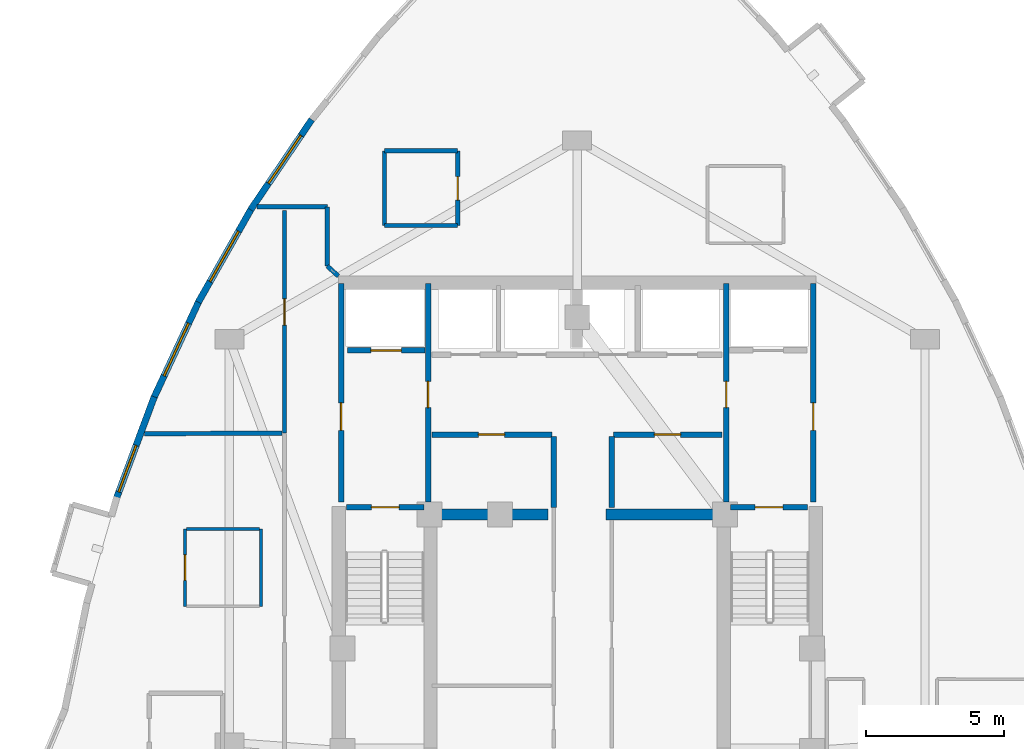
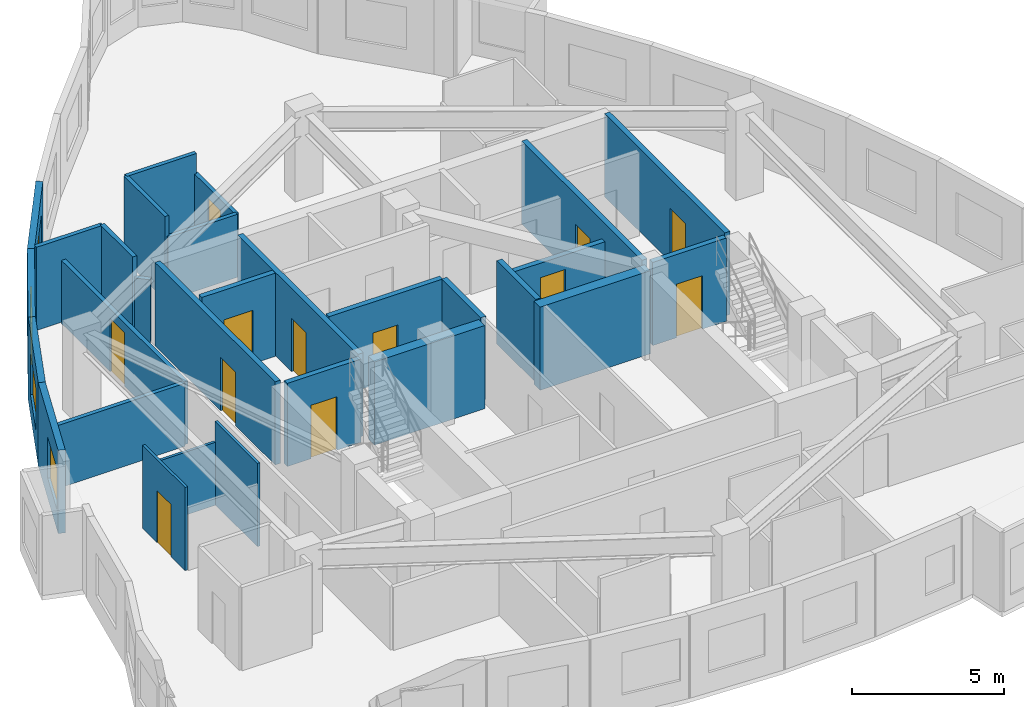
# One storey, part 5 of 8: 29 walls, 12 doors, 4 windows, 16 openings.
"""IFC4 building model written with IfcOpenShell, lengths in metres."""

from ifc_helpers import new_model, si_unit, direction, frame, frame_2d, origin, place, context, subcontext, project, spatial, rectangle, extrude, material, layer, layer_set, type_object, element, fill, save


model = new_model("IFC4")

# Units and contexts
model_context = context("Model", 3, precision=1e-05, world=origin(), true_north=direction((0.0, 1.0)))
body_context = subcontext(model_context, "Body", "Model", "MODEL_VIEW")
ifc_project = project(units=[si_unit("LENGTHUNIT", "METRE"), si_unit("AREAUNIT", "SQUARE_METRE"), si_unit("VOLUMEUNIT", "CUBIC_METRE"), si_unit("PLANEANGLEUNIT", "RADIAN"), si_unit("MASSUNIT", "GRAM", prefix="KILO")], contexts=[model_context])

# Site, building, storey
site_placement = place(None, origin())
site = spatial("IfcSite", under=ifc_project, at=site_placement, CompositionType="ELEMENT")
building_placement = place(site_placement, origin())
building = spatial("IfcBuilding", under=site, at=building_placement, Name="Miruveldt Soraemaru", CompositionType="ELEMENT")
storey_placement = place(building_placement, frame((0.0, 0.0, 212.39990234375)))
storey = spatial("IfcBuildingStorey", under=building, at=storey_placement, Name="L58", CompositionType="ELEMENT", Elevation=212.39990234375)

# Walls
ifc_material_1 = material(Name="Concrete C70/85 (70 MPa)", Category="concrete")
ifc_layer_1 = layer(ifc_material_1, 0.5, Name="Concrete C70/85 (70 MPa)", Category="concrete")
ifc_layer_set_1 = layer_set([ifc_layer_1], Name="Concrete C70/85 (70 MPa)")
wall_type_1 = type_object("IfcWallType", Name="WALL-BW-500", PredefinedType="SHEAR", material=ifc_layer_set_1)
for number, where, z_axis, x_axis, name in (
    (1, (38.75, 44.050048828125, 0.0), (0.0, 0.0, 1.0), (1.0, 0.0, 0.0), "L58 Core Buttress Shear Wall BW"),
    (2, (45.050048828125, 44.050048828125, 0.0), (0.0, 0.0, 1.0), (1.0, 0.0, 0.0), "L58 Core Buttress Shear Wall BE"),
):
    element("IfcWall", number, at=place(storey_placement, frame(where, z_axis=z_axis, x_axis=x_axis)), inside=storey, type_object=wall_type_1, Name=name, PredefinedType="SHEAR", context=body_context, shape_type="SweptSolid", body=[
        extrude(rectangle(XDim=4.199951171875, YDim=0.39990234375, at=frame_2d((2.10009765625, 0.0))), origin(), (0.0, 0.0, 1.0), 3.34521484375),
    ])

# Wall, opening, window
ifc_material_2 = material(Name="Precast concrete C45/55 (45 MPa)", Category="concrete")
ifc_layer_2 = layer(ifc_material_2, 0.239990234375, Name="Precast concrete C45/55 (45 MPa)", Category="concrete")
ifc_layer_set_2 = layer_set([ifc_layer_2], Name="Precast concrete C45/55 (45 MPa)")
wall_type_2 = type_object("IfcWallType", Name="WALL-EXT-PC240", PredefinedType="SOLIDWALL", material=ifc_layer_set_2)
wall_1_placement = place(storey_placement, frame((34.385009765625, 58.360107421875, 0.0), z_axis=(0.0, 0.0, 1.0), x_axis=(-0.560813923728, -0.827941871723, 0.0)))
wall_1 = element("IfcWall", 3, at=wall_1_placement, inside=storey, type_object=wall_type_2, Name="L58 Precast Concrete Facade Wall 9", PredefinedType="SOLIDWALL", context=body_context, shape_type="SweptSolid", body=[
    extrude(rectangle(XDim=3.943603515625, YDim=0.239990234375, at=frame_2d((1.9716796875, 0.0))), origin(), (0.0, 0.0, 1.0), 3.34521484375),
])
opening_1_placement = place(wall_1_placement, frame((0.693115234375, 0.0, 0.800048828125)))
opening_1 = element("IfcOpeningElement", 4, at=opening_1_placement, cuts=wall_1, Name="Opening WN-1", PredefinedType="OPENING", context=body_context, shape_type="SweptSolid", body=[
    extrude(rectangle(XDim=2.10009765625, YDim=1.699951171875, at=frame_2d((1.050048828125, 0.85009765625))), frame((0.0, 0.1298828125, 0.0), z_axis=(0.0, -1.0, 0.0), x_axis=(1.0, 0.0, 0.0)), (0.0, 0.0, 1.0), 0.260009765625),
])
ifc_material_3 = material(Name="Triple low-e insulated glazing", Category="glass")
window_type_1 = type_object("IfcWindowType", Name="WIN-PUNCH-2100x1700", PartitioningType="SINGLE_PANEL", PredefinedType="WINDOW", material=ifc_material_3)
window_1_placement = place(opening_1_placement, origin())
window_1 = element("IfcWindow", 5, at=window_1_placement, inside=storey, type_object=window_type_1, Name="L58 Punched Triple-Glazed Window 09.1", OverallHeight=1.699951171875, OverallWidth=2.10009765625, PartitioningType="SINGLE_PANEL", PredefinedType="WINDOW", context=body_context, shape_type="SweptSolid", body=[
    extrude(rectangle(XDim=2.10009765625, YDim=1.699951171875, at=frame_2d((1.050048828125, 0.85009765625))), frame((0.0, 0.030029296875, 0.0), z_axis=(0.0, -1.0, 0.0), x_axis=(1.0, 0.0, 0.0)), (0.0, 0.0, 1.0), 0.06005859375),
])
fill(opening_1, window_1)

wall_2_placement = place(storey_placement, frame((32.210205078125, 55.154296875, 0.0), z_axis=(0.0, 0.0, 1.0), x_axis=(-0.493399199777, -0.869802983243, 0.0)))
wall_2 = element("IfcWall", 6, at=wall_2_placement, inside=storey, type_object=wall_type_2, Name="L58 Precast Concrete Facade Wall 10", PredefinedType="SOLIDWALL", context=body_context, shape_type="SweptSolid", body=[
    extrude(rectangle(XDim=3.9189453125, YDim=0.239990234375, at=frame_2d((1.95947265625, 0.0))), origin(), (0.0, 0.0, 1.0), 3.34521484375),
])
opening_2_placement = place(wall_2_placement, frame((0.9609375, 0.0, 0.800048828125)))
opening_2 = element("IfcOpeningElement", 7, at=opening_2_placement, cuts=wall_2, Name="Opening WN-1", PredefinedType="OPENING", context=body_context, shape_type="SweptSolid", body=[
    extrude(rectangle(XDim=2.10009765625, YDim=1.699951171875, at=frame_2d((1.050048828125, 0.85009765625))), frame((0.0, 0.1298828125, 0.0), z_axis=(0.0, -1.0, 0.0), x_axis=(1.0, 0.0, 0.0)), (0.0, 0.0, 1.0), 0.260009765625),
])
window_2_placement = place(opening_2_placement, origin())
window_2 = element("IfcWindow", 8, at=window_2_placement, inside=storey, type_object=window_type_1, Name="L58 Punched Triple-Glazed Window 10.1", OverallHeight=1.699951171875, OverallWidth=2.10009765625, PartitioningType="SINGLE_PANEL", PredefinedType="WINDOW", context=body_context, shape_type="SweptSolid", body=[
    extrude(rectangle(XDim=2.10009765625, YDim=1.699951171875, at=frame_2d((1.050048828125, 0.85009765625))), frame((0.0, 0.030029296875, 0.0), z_axis=(0.0, -1.0, 0.0), x_axis=(1.0, 0.0, 0.0)), (0.0, 0.0, 1.0), 0.06005859375),
])
fill(opening_2, window_2)

wall_3_placement = place(storey_placement, frame((30.30859375, 51.8076171875, 0.0), z_axis=(0.0, 0.0, 1.0), x_axis=(-0.422274956888, -0.906467793573, 0.0)))
wall_3 = element("IfcWall", 9, at=wall_3_placement, inside=storey, type_object=wall_type_2, Name="L58 Precast Concrete Facade Wall 11", PredefinedType="SOLIDWALL", context=body_context, shape_type="SweptSolid", body=[
    extrude(rectangle(XDim=3.91943359375, YDim=0.239990234375, at=frame_2d((1.959716796875, 0.0))), origin(), (0.0, 0.0, 1.0), 3.34521484375),
])
opening_3_placement = place(wall_3_placement, frame((0.908935546875, 0.0, 0.800048828125)))
opening_3 = element("IfcOpeningElement", 10, at=opening_3_placement, cuts=wall_3, Name="Opening WN-1", PredefinedType="OPENING", context=body_context, shape_type="SweptSolid", body=[
    extrude(rectangle(XDim=2.10009765625, YDim=1.699951171875, at=frame_2d((1.050048828125, 0.85009765625))), frame((0.0, 0.1298828125, 0.0), z_axis=(0.0, -1.0, 0.0), x_axis=(1.0, 0.0, 0.0)), (0.0, 0.0, 1.0), 0.260009765625),
])
window_3_placement = place(opening_3_placement, origin())
window_3 = element("IfcWindow", 11, at=window_3_placement, inside=storey, type_object=window_type_1, Name="L58 Punched Triple-Glazed Window 11.1", OverallHeight=1.699951171875, OverallWidth=2.10009765625, PartitioningType="SINGLE_PANEL", PredefinedType="WINDOW", context=body_context, shape_type="SweptSolid", body=[
    extrude(rectangle(XDim=2.10009765625, YDim=1.699951171875, at=frame_2d((1.050048828125, 0.85009765625))), frame((0.0, 0.030029296875, 0.0), z_axis=(0.0, -1.0, 0.0), x_axis=(1.0, 0.0, 0.0)), (0.0, 0.0, 1.0), 0.06005859375),
])
fill(opening_3, window_3)

wall_4_placement = place(storey_placement, frame((28.6806640625, 48.319580078125, 0.0), z_axis=(0.0, 0.0, 1.0), x_axis=(-0.349019487368, -0.937115466438, 0.0)))
wall_4 = element("IfcWall", 12, at=wall_4_placement, inside=storey, type_object=wall_type_2, Name="L58 Precast Concrete Facade Wall 12", PredefinedType="SOLIDWALL", context=body_context, shape_type="SweptSolid", body=[
    extrude(rectangle(XDim=3.94384765625, YDim=0.239990234375, at=frame_2d((1.971923828125, 0.0))), origin(), (0.0, 0.0, 1.0), 3.34521484375),
])
opening_4_placement = place(wall_4_placement, frame((1.8798828125, 0.0, 0.800048828125)))
opening_4 = element("IfcOpeningElement", 13, at=opening_4_placement, cuts=wall_4, Name="Opening WN-2", PredefinedType="OPENING", context=body_context, shape_type="SweptSolid", body=[
    extrude(rectangle(XDim=1.800048828125, YDim=1.64990234375, at=frame_2d((0.89990234375, 0.824951171875))), frame((0.0, 0.1298828125, 0.0), z_axis=(0.0, -1.0, 0.0), x_axis=(1.0, 0.0, 0.0)), (0.0, 0.0, 1.0), 0.260009765625),
])
window_type_2 = type_object("IfcWindowType", Name="WIN-PUNCH-1800x1650", PartitioningType="SINGLE_PANEL", PredefinedType="WINDOW", material=ifc_material_3)
window_4_placement = place(opening_4_placement, origin())
window_4 = element("IfcWindow", 14, at=window_4_placement, inside=storey, type_object=window_type_2, Name="L58 Punched Triple-Glazed Window 12.1", OverallHeight=1.64990234375, OverallWidth=1.800048828125, PartitioningType="SINGLE_PANEL", PredefinedType="WINDOW", context=body_context, shape_type="SweptSolid", body=[
    extrude(rectangle(XDim=1.800048828125, YDim=1.64990234375, at=frame_2d((0.89990234375, 0.824951171875))), frame((0.0, 0.030029296875, 0.0), z_axis=(0.0, -1.0, 0.0), x_axis=(1.0, 0.0, 0.0)), (0.0, 0.0, 1.0), 0.06005859375),
])
fill(opening_4, window_4)

# Wall, opening, door
ifc_material_4 = material(Name="Gypsum plasterboard lining", Category="gypsum")
ifc_layer_3 = layer(ifc_material_4, 0.10009765625, Name="Gypsum plasterboard lining", Category="gypsum")
ifc_layer_set_3 = layer_set([ifc_layer_3], Name="Gypsum plasterboard lining")
wall_type_3 = type_object("IfcWallType", Name="WALL-INT-P100", PredefinedType="PARTITIONING", material=ifc_layer_set_3)
wall_5_placement = place(storey_placement, frame((29.798095703125, 43.530029296875, 0.0), z_axis=(0.0, 0.0, 1.0), x_axis=(0.0, -1.0, 0.0)))
wall_5 = element("IfcWall", 15, at=wall_5_placement, inside=storey, type_object=wall_type_3, Name="L58 Partition Wall 25", PredefinedType="PARTITIONING", context=body_context, shape_type="SweptSolid", body=[
    extrude(rectangle(XDim=2.800048828125, YDim=0.10009765625, at=frame_2d((1.39990234375, 0.0))), origin(), (0.0, 0.0, 1.0), 3.34521484375),
])
opening_5_placement = place(wall_5_placement, frame((0.93994140625, 0.0, 0.0)))
opening_5 = element("IfcOpeningElement", 16, at=opening_5_placement, cuts=wall_5, Name="Opening D3A", PredefinedType="OPENING", context=body_context, shape_type="SweptSolid", body=[
    extrude(rectangle(XDim=0.919921875, YDim=2.10009765625, at=frame_2d((0.4599609375, 1.050048828125))), frame((0.0, 0.06005859375, 0.0), z_axis=(0.0, -1.0, 0.0), x_axis=(1.0, 0.0, 0.0)), (0.0, 0.0, 1.0), 0.1201171875),
])
ifc_material_5 = material(Name="Anodised aluminium EN AW-6063 T6", Category="aluminium")
door_type_1 = type_object("IfcDoorType", Name="DOOR-INT-920", OperationType="NOTDEFINED", PredefinedType="DOOR", material=ifc_material_5)
door_1_placement = place(opening_5_placement, origin())
door_1 = element("IfcDoor", 17, at=door_1_placement, inside=storey, type_object=door_type_1, Name="L58 Unit 5802 KIT Door", OperationType="SINGLE_SWING_LEFT", OverallHeight=2.10009765625, OverallWidth=0.919921875, PredefinedType="DOOR", context=body_context, shape_type="SweptSolid", body=[
    extrude(rectangle(XDim=0.919921875, YDim=2.10009765625, at=frame_2d((0.4599609375, 1.050048828125))), frame((0.0, 0.02490234375, 0.0), z_axis=(0.0, -1.0, 0.0), x_axis=(1.0, 0.0, 0.0)), (0.0, 0.0, 1.0), 0.050048828125),
])
fill(opening_5, door_1)

# Walls
wall_6_placement = place(storey_placement, frame((32.548095703125, 40.72998046875, 0.0), z_axis=(0.0, 0.0, 1.0), x_axis=(0.0, 1.0, 0.0)))
element("IfcWall", 18, at=wall_6_placement, inside=storey, type_object=wall_type_3, Name="L58 Partition Wall 23", PredefinedType="PARTITIONING", context=body_context, shape_type="SweptSolid", body=[
    extrude(rectangle(XDim=2.800048828125, YDim=0.10009765625, at=frame_2d((1.39990234375, 0.0))), origin(), (0.0, 0.0, 1.0), 3.34521484375),
])
wall_7_placement = place(storey_placement, frame((32.498046875, 43.530029296875, 0.0), z_axis=(0.0, 0.0, 1.0), x_axis=(-1.0, 0.0, 0.0)))
element("IfcWall", 19, at=wall_7_placement, inside=storey, type_object=wall_type_3, Name="L58 Partition Wall 24", PredefinedType="PARTITIONING", context=body_context, shape_type="SweptSolid", body=[
    extrude(rectangle(XDim=2.650146484375, YDim=0.10009765625, at=frame_2d((1.3251953125, 0.0))), origin(), (0.0, 0.0, 1.0), 2.533203125),
])

# Wall, opening, door
ifc_layer_4 = layer(ifc_material_4, 0.14990234375, Name="Gypsum plasterboard lining", Category="gypsum")
ifc_layer_set_4 = layer_set([ifc_layer_4], Name="Gypsum plasterboard lining")
wall_type_4 = type_object("IfcWallType", Name="WALL-INT-PLUMB", PredefinedType="PLUMBINGWALL", material=ifc_layer_set_4)
wall_8_placement = place(storey_placement, frame((39.672119140625, 54.530029296875, 0.0), z_axis=(0.0, 0.0, 1.0), x_axis=(0.0, 1.0, 0.0)))
wall_8 = element("IfcWall", 20, at=wall_8_placement, inside=storey, type_object=wall_type_4, Name="L58 Partition Wall 10", PredefinedType="PLUMBINGWALL", context=body_context, shape_type="SweptSolid", body=[
    extrude(rectangle(XDim=2.699951171875, YDim=0.14990234375, at=frame_2d((1.35009765625, 0.0))), origin(), (0.0, 0.0, 1.0), 2.533203125),
])
opening_6_placement = place(wall_8_placement, frame((0.909912109375, 0.0, 0.0)))
opening_6 = element("IfcOpeningElement", 21, at=opening_6_placement, cuts=wall_8, Name="Opening FD3", PredefinedType="OPENING", context=body_context, shape_type="SweptSolid", body=[
    extrude(rectangle(XDim=0.85009765625, YDim=2.10009765625, at=frame_2d((0.425048828125, 1.050048828125))), frame((0.0, 0.0849609375, 0.0), z_axis=(0.0, -1.0, 0.0), x_axis=(1.0, 0.0, 0.0)), (0.0, 0.0, 1.0), 0.169921875),
])
door_type_2 = type_object("IfcDoorType", Name="DOOR-FD3-850", OperationType="NOTDEFINED", PredefinedType="DOOR", material=ifc_material_5)
door_2_placement = place(opening_6_placement, origin())
door_2 = element("IfcDoor", 22, at=door_2_placement, inside=storey, type_object=door_type_2, Name="L58 Unit CL01 BTH Door", OperationType="SINGLE_SWING_LEFT", OverallHeight=2.10009765625, OverallWidth=0.85009765625, PredefinedType="DOOR", context=body_context, shape_type="SweptSolid", body=[
    extrude(rectangle(XDim=0.85009765625, YDim=2.10009765625, at=frame_2d((0.425048828125, 1.050048828125))), frame((0.0, 0.02490234375, 0.0), z_axis=(0.0, -1.0, 0.0), x_axis=(1.0, 0.0, 0.0)), (0.0, 0.0, 1.0), 0.050048828125),
])
fill(opening_6, door_2)

# Walls
wall_9_placement = place(storey_placement, frame((37.02197265625, 57.22998046875, 0.0), z_axis=(0.0, 0.0, 1.0), x_axis=(0.0, -1.0, 0.0)))
element("IfcWall", 23, at=wall_9_placement, inside=storey, type_object=wall_type_4, Name="L58 Partition Wall 12", PredefinedType="PLUMBINGWALL", context=body_context, shape_type="SweptSolid", body=[
    extrude(rectangle(XDim=2.699951171875, YDim=0.14990234375, at=frame_2d((1.35009765625, 0.0))), origin(), (0.0, 0.0, 1.0), 3.34521484375),
])
wall_10_placement = place(storey_placement, frame((39.672119140625, 57.22998046875, 0.0), z_axis=(0.0, 0.0, 1.0), x_axis=(-1.0, 0.0, 0.0)))
element("IfcWall", 24, at=wall_10_placement, inside=storey, type_object=wall_type_4, Name="L58 Partition Wall 11", PredefinedType="PLUMBINGWALL", context=body_context, shape_type="SweptSolid", body=[
    extrude(rectangle(XDim=2.650146484375, YDim=0.14990234375, at=frame_2d((1.3251953125, 0.0))), origin(), (0.0, 0.0, 1.0), 3.34521484375),
])
wall_11_placement = place(storey_placement, frame((37.02197265625, 54.530029296875, 0.0), z_axis=(0.0, 0.0, 1.0), x_axis=(1.0, 0.0, 0.0)))
element("IfcWall", 25, at=wall_11_placement, inside=storey, type_object=wall_type_4, Name="L58 Partition Wall 13", PredefinedType="PLUMBINGWALL", context=body_context, shape_type="SweptSolid", body=[
    extrude(rectangle(XDim=2.650146484375, YDim=0.14990234375, at=frame_2d((1.3251953125, 0.0))), origin(), (0.0, 0.0, 1.0), 2.533203125),
])

# Wall, opening, door
ifc_material_6 = material(Name="Concrete C40/50 (40 MPa)", Category="concrete")
ifc_layer_5 = layer(ifc_material_6, 0.159912109375, Name="Concrete C40/50 (40 MPa)", Category="concrete")
ifc_layer_set_5 = layer_set([ifc_layer_5], Name="Concrete C40/50 (40 MPa)")
wall_type_5 = type_object("IfcWallType", Name="WALL-INT-RC160", PredefinedType="SOLIDWALL", material=ifc_layer_set_5)
wall_12_placement = place(storey_placement, frame((33.39990234375, 55.06005859375, 0.0), z_axis=(0.0, 0.0, 1.0), x_axis=(0.0, -1.0, 0.0)))
wall_12 = element("IfcWall", 26, at=wall_12_placement, inside=storey, type_object=wall_type_5, Name="L58 Partition Wall 3", PredefinedType="SOLIDWALL", context=body_context, shape_type="SweptSolid", body=[
    extrude(rectangle(XDim=8.05712890625, YDim=0.159912109375, at=frame_2d((4.028564453125, 0.0))), origin(), (0.0, 0.0, 1.0), 2.533203125),
])
opening_7_placement = place(wall_12_placement, frame((3.194091796875, 0.0, 0.0)))
opening_7 = element("IfcOpeningElement", 27, at=opening_7_placement, cuts=wall_12, Name="Opening FD2", PredefinedType="OPENING", context=body_context, shape_type="SweptSolid", body=[
    extrude(rectangle(XDim=0.949951171875, YDim=2.14990234375, at=frame_2d((0.47509765625, 1.074951171875))), frame((0.0, 0.08984375, 0.0), z_axis=(0.0, -1.0, 0.0), x_axis=(1.0, 0.0, 0.0)), (0.0, 0.0, 1.0), 0.179931640625),
])
door_type_3 = type_object("IfcDoorType", Name="DOOR-FD2-950", OperationType="NOTDEFINED", PredefinedType="DOOR", material=ifc_material_5)
door_3_placement = place(opening_7_placement, origin())
door_3 = element("IfcDoor", 28, at=door_3_placement, inside=storey, type_object=door_type_3, Name="L58 Unit CL01 Entrance Fire Door", OperationType="SINGLE_SWING_RIGHT", OverallHeight=2.14990234375, OverallWidth=0.949951171875, PredefinedType="DOOR", context=body_context, shape_type="SweptSolid", body=[
    extrude(rectangle(XDim=0.949951171875, YDim=2.14990234375, at=frame_2d((0.47509765625, 1.074951171875))), frame((0.0, 0.02490234375, 0.0), z_axis=(0.0, -1.0, 0.0), x_axis=(1.0, 0.0, 0.0)), (0.0, 0.0, 1.0), 0.050048828125),
])
fill(opening_7, door_3)

# Walls
wall_13_placement = place(storey_placement, frame((28.326904296875, 46.98291015625, 0.0), z_axis=(0.0, 0.0, 1.0), x_axis=(0.999994130745, 0.003426146011, 0.0)))
element("IfcWall", 29, at=wall_13_placement, inside=storey, type_object=wall_type_5, Name="L58 Partition Wall 18", PredefinedType="SOLIDWALL", context=body_context, shape_type="SweptSolid", body=[
    extrude(rectangle(XDim=4.988037109375, YDim=0.159912109375, at=frame_2d((2.494140625, 0.0))), origin(), (0.0, 0.0, 1.0), 2.533203125),
])
wall_14_placement = place(storey_placement, frame((34.949951171875, 55.199951171875, 0.0), z_axis=(0.0, 0.0, 1.0), x_axis=(-1.0, 0.0, 0.0)))
element("IfcWall", 30, at=wall_14_placement, inside=storey, type_object=wall_type_5, Name="L58 Partition Wall 2", PredefinedType="SOLIDWALL", context=body_context, shape_type="SweptSolid", body=[
    extrude(rectangle(XDim=2.5419921875, YDim=0.159912109375, at=frame_2d((1.27099609375, 0.0))), origin(), (0.0, 0.0, 1.0), 3.34521484375),
])
wall_15_placement = place(storey_placement, frame((34.949951171875, 53.052978515625, 0.0), z_axis=(0.0, 0.0, 1.0), x_axis=(0.0, 1.0, 0.0)))
element("IfcWall", 31, at=wall_15_placement, inside=storey, type_object=wall_type_5, Name="L58 Partition Wall 1", PredefinedType="SOLIDWALL", context=body_context, shape_type="SweptSolid", body=[
    extrude(rectangle(XDim=2.14697265625, YDim=0.159912109375, at=frame_2d((1.073486328125, 0.0))), origin(), (0.0, 0.0, 1.0), 3.34521484375),
])
wall_16_placement = place(storey_placement, frame((34.949951171875, 53.052978515625, 0.0), z_axis=(0.0, 0.0, 1.0), x_axis=(0.740614438713, -0.671930244274, 0.0)))
element("IfcWall", 32, at=wall_16_placement, inside=storey, type_object=wall_type_5, Name="L58 Partition Closure Return 1", PredefinedType="SOLIDWALL", context=body_context, shape_type="SweptSolid", body=[
    extrude(rectangle(XDim=0.540283203125, YDim=0.159912109375, at=frame_2d((0.27001953125, 0.0))), origin(), (0.0, 0.0, 1.0), 2.533203125),
])

# Wall, opening, door
ifc_layer_6 = layer(ifc_material_6, 0.199951171875, Name="Concrete C40/50 (40 MPa)", Category="concrete")
ifc_layer_set_6 = layer_set([ifc_layer_6], Name="Concrete C40/50 (40 MPa)")
wall_type_6 = type_object("IfcWallType", Name="WALL-INT-RC200", PredefinedType="SOLIDWALL", material=ifc_layer_set_6)
wall_17_placement = place(storey_placement, frame((35.449951171875, 44.5, 0.0), z_axis=(0.0, 0.0, 1.0), x_axis=(0.0, 1.0, 0.0)))
wall_17 = element("IfcWall", 33, at=wall_17_placement, inside=storey, type_object=wall_type_6, Name="L58 Core Compartment Wall FFW-OUT", PredefinedType="SOLIDWALL", context=body_context, shape_type="SweptSolid", body=[
    extrude(rectangle(XDim=7.919921875, YDim=0.199951171875, at=frame_2d((3.9599609375, 0.0))), origin(), (0.0, 0.0, 1.0), 3.34521484375),
])
opening_8_placement = place(wall_17_placement, frame((2.60009765625, 0.0, 0.0)))
opening_8 = element("IfcOpeningElement", 34, at=opening_8_placement, cuts=wall_17, Name="Opening FD1", PredefinedType="OPENING", context=body_context, shape_type="SweptSolid", body=[
    extrude(rectangle(XDim=1.0, YDim=2.14990234375, at=frame_2d((0.5, 1.074951171875))), frame((0.0, 0.10986328125, 0.0), z_axis=(0.0, -1.0, 0.0), x_axis=(1.0, 0.0, 0.0)), (0.0, 0.0, 1.0), 0.219970703125),
])
door_type_4 = type_object("IfcDoorType", Name="DOOR-FD1-1000", OperationType="NOTDEFINED", PredefinedType="DOOR", material=ifc_material_5)
door_4_placement = place(opening_8_placement, origin())
door_4 = element("IfcDoor", 35, at=door_4_placement, inside=storey, type_object=door_type_4, Name="L58 West Firefighting Lobby Exit Door", OperationType="SINGLE_SWING_LEFT", OverallHeight=2.14990234375, OverallWidth=1.0, PredefinedType="DOOR", context=body_context, shape_type="SweptSolid", body=[
    extrude(rectangle(XDim=1.0, YDim=2.14990234375, at=frame_2d((0.5, 1.074951171875))), frame((0.0, 0.02490234375, 0.0), z_axis=(0.0, -1.0, 0.0), x_axis=(1.0, 0.0, 0.0)), (0.0, 0.0, 1.0), 0.050048828125),
])
fill(opening_8, door_4)

wall_18_placement = place(storey_placement, frame((52.550048828125, 44.5, 0.0), z_axis=(0.0, 0.0, 1.0), x_axis=(0.0, 1.0, 0.0)))
wall_18 = element("IfcWall", 36, at=wall_18_placement, inside=storey, type_object=wall_type_6, Name="L58 Core Compartment Wall FFE-OUT", PredefinedType="SOLIDWALL", context=body_context, shape_type="SweptSolid", body=[
    extrude(rectangle(XDim=7.919921875, YDim=0.199951171875, at=frame_2d((3.9599609375, 0.0))), origin(), (0.0, 0.0, 1.0), 3.34521484375),
])
opening_9_placement = place(wall_18_placement, frame((2.60009765625, 0.0, 0.0)))
opening_9 = element("IfcOpeningElement", 37, at=opening_9_placement, cuts=wall_18, Name="Opening FD1", PredefinedType="OPENING", context=body_context, shape_type="SweptSolid", body=[
    extrude(rectangle(XDim=1.0, YDim=2.14990234375, at=frame_2d((0.5, 1.074951171875))), frame((0.0, 0.10986328125, 0.0), z_axis=(0.0, -1.0, 0.0), x_axis=(1.0, 0.0, 0.0)), (0.0, 0.0, 1.0), 0.219970703125),
])
door_5_placement = place(opening_9_placement, frame((1.0, 0.0, 0.0), z_axis=(0.0, 0.0, 1.0), x_axis=(-1.0, 0.0, 0.0)))
door_5 = element("IfcDoor", 38, at=door_5_placement, inside=storey, type_object=door_type_4, Name="L58 East Firefighting Lobby Exit Door", OperationType="SINGLE_SWING_RIGHT", OverallHeight=2.14990234375, OverallWidth=1.0, PredefinedType="DOOR", context=body_context, shape_type="SweptSolid", body=[
    extrude(rectangle(XDim=1.0, YDim=2.14990234375, at=frame_2d((0.5, 1.074951171875))), frame((0.0, 0.02490234375, 0.0), z_axis=(0.0, -1.0, 0.0), x_axis=(1.0, 0.0, 0.0)), (0.0, 0.0, 1.0), 0.050048828125),
])
fill(opening_9, door_5)

wall_19_placement = place(storey_placement, frame((38.60009765625, 44.5, 0.0), z_axis=(0.0, 0.0, 1.0), x_axis=(0.0, 1.0, 0.0)))
wall_19 = element("IfcWall", 39, at=wall_19_placement, inside=storey, type_object=wall_type_6, Name="L58 Core Compartment Wall FFW-IN", PredefinedType="SOLIDWALL", context=body_context, shape_type="SweptSolid", body=[
    extrude(rectangle(XDim=7.919921875, YDim=0.199951171875, at=frame_2d((3.9599609375, 0.0))), origin(), (0.0, 0.0, 1.0), 3.34521484375),
])
opening_10_placement = place(wall_19_placement, frame((3.425048828125, 0.0, 0.0)))
opening_10 = element("IfcOpeningElement", 40, at=opening_10_placement, cuts=wall_19, Name="Opening FD2", PredefinedType="OPENING", context=body_context, shape_type="SweptSolid", body=[
    extrude(rectangle(XDim=0.949951171875, YDim=2.14990234375, at=frame_2d((0.47509765625, 1.074951171875))), frame((0.0, 0.10986328125, 0.0), z_axis=(0.0, -1.0, 0.0), x_axis=(1.0, 0.0, 0.0)), (0.0, 0.0, 1.0), 0.219970703125),
])
door_6_placement = place(opening_10_placement, frame((0.949951171875, 0.0, 0.0), z_axis=(0.0, 0.0, 1.0), x_axis=(-1.0, 0.0, 0.0)))
door_6 = element("IfcDoor", 41, at=door_6_placement, inside=storey, type_object=door_type_3, Name="L58 Lift Lobby to West Fire Lobby Door", OperationType="SINGLE_SWING_RIGHT", OverallHeight=2.14990234375, OverallWidth=0.949951171875, PredefinedType="DOOR", context=body_context, shape_type="SweptSolid", body=[
    extrude(rectangle(XDim=0.949951171875, YDim=2.14990234375, at=frame_2d((0.47509765625, 1.074951171875))), frame((0.0, 0.02490234375, 0.0), z_axis=(0.0, -1.0, 0.0), x_axis=(1.0, 0.0, 0.0)), (0.0, 0.0, 1.0), 0.050048828125),
])
fill(opening_10, door_6)

wall_20_placement = place(storey_placement, frame((49.39990234375, 44.5, 0.0), z_axis=(0.0, 0.0, 1.0), x_axis=(0.0, 1.0, 0.0)))
wall_20 = element("IfcWall", 42, at=wall_20_placement, inside=storey, type_object=wall_type_6, Name="L58 Core Compartment Wall FFE-IN", PredefinedType="SOLIDWALL", context=body_context, shape_type="SweptSolid", body=[
    extrude(rectangle(XDim=7.919921875, YDim=0.199951171875, at=frame_2d((3.9599609375, 0.0))), origin(), (0.0, 0.0, 1.0), 3.34521484375),
])
opening_11_placement = place(wall_20_placement, frame((3.425048828125, 0.0, 0.0)))
opening_11 = element("IfcOpeningElement", 43, at=opening_11_placement, cuts=wall_20, Name="Opening FD2", PredefinedType="OPENING", context=body_context, shape_type="SweptSolid", body=[
    extrude(rectangle(XDim=0.949951171875, YDim=2.14990234375, at=frame_2d((0.47509765625, 1.074951171875))), frame((0.0, 0.10986328125, 0.0), z_axis=(0.0, -1.0, 0.0), x_axis=(1.0, 0.0, 0.0)), (0.0, 0.0, 1.0), 0.219970703125),
])
door_7_placement = place(opening_11_placement, origin())
door_7 = element("IfcDoor", 44, at=door_7_placement, inside=storey, type_object=door_type_3, Name="L58 Lift Lobby to East Fire Lobby Door", OperationType="SINGLE_SWING_LEFT", OverallHeight=2.14990234375, OverallWidth=0.949951171875, PredefinedType="DOOR", context=body_context, shape_type="SweptSolid", body=[
    extrude(rectangle(XDim=0.949951171875, YDim=2.14990234375, at=frame_2d((0.47509765625, 1.074951171875))), frame((0.0, 0.02490234375, 0.0), z_axis=(0.0, -1.0, 0.0), x_axis=(1.0, 0.0, 0.0)), (0.0, 0.0, 1.0), 0.050048828125),
])
fill(opening_11, door_7)

wall_21_placement = place(storey_placement, frame((38.75, 46.949951171875, 0.0), z_axis=(0.0, 0.0, 1.0), x_axis=(1.0, 0.0, 0.0)))
wall_21 = element("IfcWall", 45, at=wall_21_placement, inside=storey, type_object=wall_type_6, Name="L58 Core Compartment Wall MBW-N", PredefinedType="SOLIDWALL", context=body_context, shape_type="SweptSolid", body=[
    extrude(rectangle(XDim=4.330078125, YDim=0.199951171875, at=frame_2d((2.1650390625, 0.0))), origin(), (0.0, 0.0, 1.0), 3.34521484375),
])
opening_12_placement = place(wall_21_placement, frame((1.675048828125, 0.0, 0.0)))
opening_12 = element("IfcOpeningElement", 46, at=opening_12_placement, cuts=wall_21, Name="Opening D2", PredefinedType="OPENING", context=body_context, shape_type="SweptSolid", body=[
    extrude(rectangle(XDim=0.949951171875, YDim=2.10009765625, at=frame_2d((0.47509765625, 1.050048828125))), frame((0.0, 0.10986328125, 0.0), z_axis=(0.0, -1.0, 0.0), x_axis=(1.0, 0.0, 0.0)), (0.0, 0.0, 1.0), 0.219970703125),
])
door_type_5 = type_object("IfcDoorType", Name="DOOR-INT-950", OperationType="NOTDEFINED", PredefinedType="DOOR", material=ifc_material_5)
door_8_placement = place(opening_12_placement, origin())
door_8 = element("IfcDoor", 47, at=door_8_placement, inside=storey, type_object=door_type_5, Name="L58 Fire Door", OperationType="SINGLE_SWING_LEFT", OverallHeight=2.10009765625, OverallWidth=0.949951171875, PredefinedType="DOOR", context=body_context, shape_type="SweptSolid", body=[
    extrude(rectangle(XDim=0.949951171875, YDim=2.10009765625, at=frame_2d((0.47509765625, 1.050048828125))), frame((0.0, 0.02490234375, 0.0), z_axis=(0.0, -1.0, 0.0), x_axis=(1.0, 0.0, 0.0)), (0.0, 0.0, 1.0), 0.050048828125),
])
fill(opening_12, door_8)

wall_22_placement = place(storey_placement, frame((45.320068359375, 46.949951171875, 0.0), z_axis=(0.0, 0.0, 1.0), x_axis=(1.0, 0.0, 0.0)))
wall_22 = element("IfcWall", 48, at=wall_22_placement, inside=storey, type_object=wall_type_6, Name="L58 Core Compartment Wall MBE-N", PredefinedType="SOLIDWALL", context=body_context, shape_type="SweptSolid", body=[
    extrude(rectangle(XDim=3.929931640625, YDim=0.199951171875, at=frame_2d((1.96484375, 0.0))), origin(), (0.0, 0.0, 1.0), 2.68310546875),
])
opening_13_placement = place(wall_22_placement, frame((1.47509765625, 0.0, 0.0)))
opening_13 = element("IfcOpeningElement", 49, at=opening_13_placement, cuts=wall_22, Name="Opening D2", PredefinedType="OPENING", context=body_context, shape_type="SweptSolid", body=[
    extrude(rectangle(XDim=0.949951171875, YDim=2.10009765625, at=frame_2d((0.47509765625, 1.050048828125))), frame((0.0, 0.10986328125, 0.0), z_axis=(0.0, -1.0, 0.0), x_axis=(1.0, 0.0, 0.0)), (0.0, 0.0, 1.0), 0.219970703125),
])
door_9_placement = place(opening_13_placement, origin())
door_9 = element("IfcDoor", 50, at=door_9_placement, inside=storey, type_object=door_type_5, Name="L58 Fire Door", OperationType="SINGLE_SWING_LEFT", OverallHeight=2.10009765625, OverallWidth=0.949951171875, PredefinedType="DOOR", context=body_context, shape_type="SweptSolid", body=[
    extrude(rectangle(XDim=0.949951171875, YDim=2.10009765625, at=frame_2d((0.47509765625, 1.050048828125))), frame((0.0, 0.02490234375, 0.0), z_axis=(0.0, -1.0, 0.0), x_axis=(1.0, 0.0, 0.0)), (0.0, 0.0, 1.0), 0.050048828125),
])
fill(opening_13, door_9)

wall_23_placement = place(storey_placement, frame((35.64990234375, 44.320068359375, 0.0), z_axis=(0.0, 0.0, 1.0), x_axis=(1.0, 0.0, 0.0)))
wall_23 = element("IfcWall", 51, at=wall_23_placement, inside=storey, type_object=wall_type_6, Name="L58 Core Compartment Wall ST1-N", PredefinedType="SOLIDWALL", context=body_context, shape_type="SweptSolid", body=[
    extrude(rectangle(XDim=2.800048828125, YDim=0.199951171875, at=frame_2d((1.39990234375, 0.0))), origin(), (0.0, 0.0, 1.0), 3.34521484375),
])
opening_14_placement = place(wall_23_placement, frame((0.89990234375, 0.0, 0.0)))
opening_14 = element("IfcOpeningElement", 52, at=opening_14_placement, cuts=wall_23, Name="Opening FD1", PredefinedType="OPENING", context=body_context, shape_type="SweptSolid", body=[
    extrude(rectangle(XDim=1.0, YDim=2.14990234375, at=frame_2d((0.5, 1.074951171875))), frame((0.0, 0.10986328125, 0.0), z_axis=(0.0, -1.0, 0.0), x_axis=(1.0, 0.0, 0.0)), (0.0, 0.0, 1.0), 0.219970703125),
])
door_10_placement = place(opening_14_placement, frame((1.0, 0.0, 0.0), z_axis=(0.0, 0.0, 1.0), x_axis=(-1.0, 0.0, 0.0)))
door_10 = element("IfcDoor", 53, at=door_10_placement, inside=storey, type_object=door_type_4, Name="L58 Stair ST-1 Fire Door", OperationType="SINGLE_SWING_LEFT", OverallHeight=2.14990234375, OverallWidth=1.0, PredefinedType="DOOR", context=body_context, shape_type="SweptSolid", body=[
    extrude(rectangle(XDim=1.0, YDim=2.14990234375, at=frame_2d((0.5, 1.074951171875))), frame((0.0, 0.02490234375, 0.0), z_axis=(0.0, -1.0, 0.0), x_axis=(1.0, 0.0, 0.0)), (0.0, 0.0, 1.0), 0.050048828125),
])
fill(opening_14, door_10)

wall_24_placement = place(storey_placement, frame((49.550048828125, 44.320068359375, 0.0), z_axis=(0.0, 0.0, 1.0), x_axis=(1.0, 0.0, 0.0)))
wall_24 = element("IfcWall", 54, at=wall_24_placement, inside=storey, type_object=wall_type_6, Name="L58 Core Compartment Wall ST2-N", PredefinedType="SOLIDWALL", context=body_context, shape_type="SweptSolid", body=[
    extrude(rectangle(XDim=2.800048828125, YDim=0.199951171875, at=frame_2d((1.39990234375, 0.0))), origin(), (0.0, 0.0, 1.0), 3.34521484375),
])
opening_15_placement = place(wall_24_placement, frame((0.89990234375, 0.0, 0.0)))
opening_15 = element("IfcOpeningElement", 55, at=opening_15_placement, cuts=wall_24, Name="Opening FD1", PredefinedType="OPENING", context=body_context, shape_type="SweptSolid", body=[
    extrude(rectangle(XDim=1.0, YDim=2.14990234375, at=frame_2d((0.5, 1.074951171875))), frame((0.0, 0.10986328125, 0.0), z_axis=(0.0, -1.0, 0.0), x_axis=(1.0, 0.0, 0.0)), (0.0, 0.0, 1.0), 0.219970703125),
])
door_11_placement = place(opening_15_placement, frame((1.0, 0.0, 0.0), z_axis=(0.0, 0.0, 1.0), x_axis=(-1.0, 0.0, 0.0)))
door_11 = element("IfcDoor", 56, at=door_11_placement, inside=storey, type_object=door_type_4, Name="L58 Stair ST-2 Fire Door", OperationType="SINGLE_SWING_RIGHT", OverallHeight=2.14990234375, OverallWidth=1.0, PredefinedType="DOOR", context=body_context, shape_type="SweptSolid", body=[
    extrude(rectangle(XDim=1.0, YDim=2.14990234375, at=frame_2d((0.5, 1.074951171875))), frame((0.0, 0.02490234375, 0.0), z_axis=(0.0, -1.0, 0.0), x_axis=(1.0, 0.0, 0.0)), (0.0, 0.0, 1.0), 0.050048828125),
])
fill(opening_15, door_11)

wall_25_placement = place(storey_placement, frame((35.679931640625, 50.0, 0.0), z_axis=(0.0, 0.0, 1.0), x_axis=(1.0, 0.0, 0.0)))
wall_25 = element("IfcWall", 57, at=wall_25_placement, inside=storey, type_object=wall_type_6, Name="L58 Core Compartment Wall FFL1-S", PredefinedType="SOLIDWALL", context=body_context, shape_type="SweptSolid", body=[
    extrude(rectangle(XDim=2.800048828125, YDim=0.199951171875, at=frame_2d((1.39990234375, 0.0))), origin(), (0.0, 0.0, 1.0), 3.34521484375),
])
opening_16_placement = place(wall_25_placement, frame((0.85009765625, 0.0, 0.0)))
opening_16 = element("IfcOpeningElement", 58, at=opening_16_placement, cuts=wall_25, Name="Opening LD2", PredefinedType="OPENING", context=body_context, shape_type="SweptSolid", body=[
    extrude(rectangle(XDim=1.10009765625, YDim=2.14990234375, at=frame_2d((0.550048828125, 1.074951171875))), frame((0.0, 0.10986328125, 0.0), z_axis=(0.0, -1.0, 0.0), x_axis=(1.0, 0.0, 0.0)), (0.0, 0.0, 1.0), 0.219970703125),
])
door_type_6 = type_object("IfcDoorType", Name="DOOR-LD2-1100", OperationType="SLIDING_TO_LEFT", PredefinedType="DOOR", material=ifc_material_5)
door_12_placement = place(opening_16_placement, origin())
door_12 = element("IfcDoor", 59, at=door_12_placement, inside=storey, type_object=door_type_6, Name="L58 FFL-1 Landing Door", OperationType="SLIDING_TO_LEFT", OverallHeight=2.14990234375, OverallWidth=1.10009765625, PredefinedType="DOOR", context=body_context, shape_type="SweptSolid", body=[
    extrude(rectangle(XDim=1.10009765625, YDim=2.14990234375, at=frame_2d((0.550048828125, 1.074951171875))), frame((0.0, 0.02490234375, 0.0), z_axis=(0.0, -1.0, 0.0), x_axis=(1.0, 0.0, 0.0)), (0.0, 0.0, 1.0), 0.050048828125),
])
fill(opening_16, door_12)

# Walls
for number, where, z_axis, x_axis, name in (
    (60, (43.14990234375, 44.300048828125, 0.0), (0.0, 0.0, 1.0), (0.0, 1.0, 0.0), "L58 Core Compartment Wall SP-WB"),
    (61, (45.25, 44.300048828125, 0.0), (0.0, 0.0, 1.0), (0.0, 1.0, 0.0), "L58 Core Compartment Wall SP-EB"),
):
    element("IfcWall", number, at=place(storey_placement, frame(where, z_axis=z_axis, x_axis=x_axis)), inside=storey, type_object=wall_type_6, Name=name, PredefinedType="SOLIDWALL", context=body_context, shape_type="SweptSolid", body=[
        extrude(rectangle(XDim=2.579833984375, YDim=0.199951171875, at=frame_2d((1.2900390625, 0.0))), origin(), (0.0, 0.0, 1.0), 3.34521484375),
    ])

save(model, "model.ifc")
